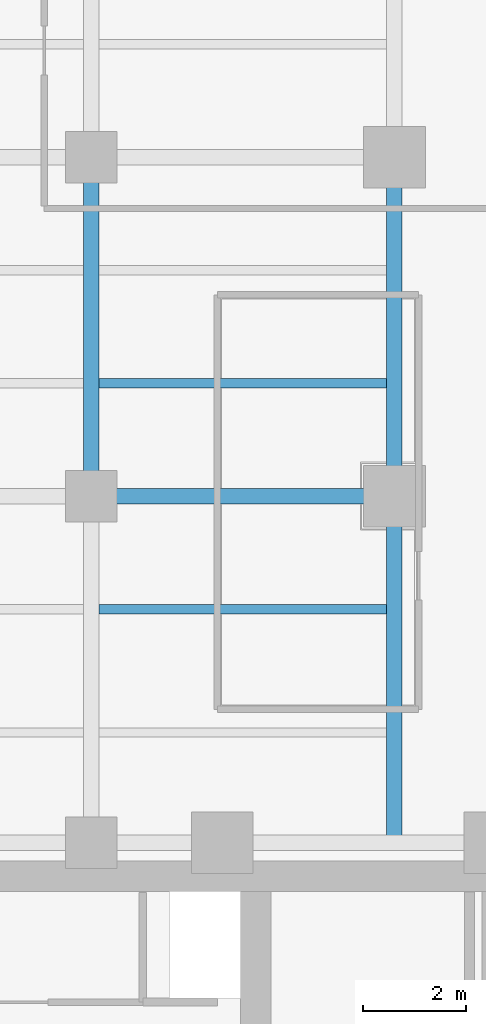
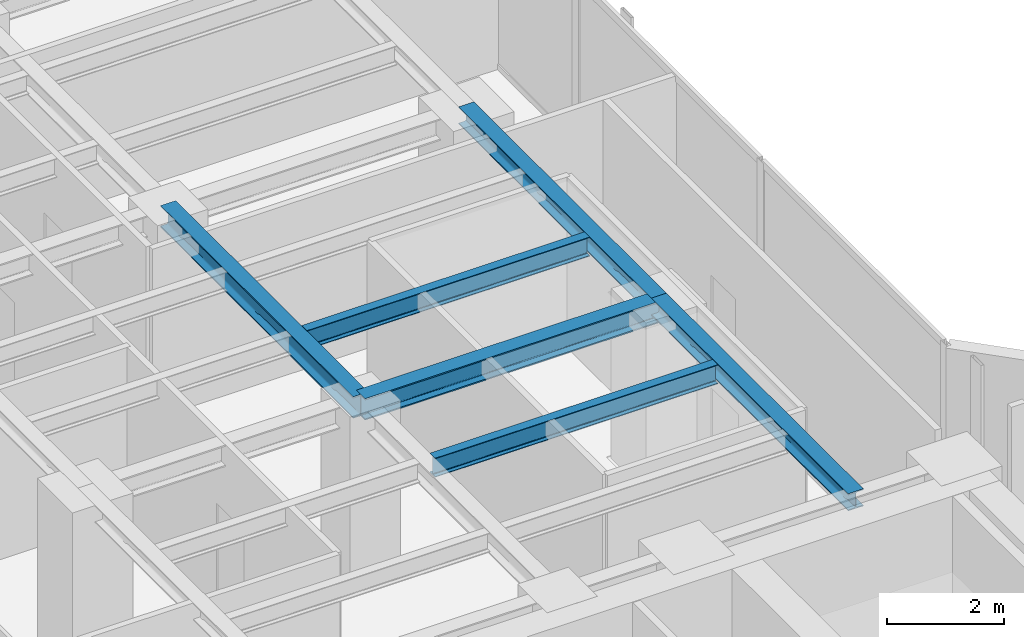
# One storey, part 8 of 24: 6 beams.
"""IFC4 building model written with IfcOpenShell, lengths in metres."""

from ifc_helpers import new_model, si_unit, direction, frame, origin, origin_2d, place, context, subcontext, project, spatial, i_section, extrude, material, material_profile, profile_set, type_object, element, save


model = new_model("IFC4")

# Units and contexts
model_context = context("Model", 3, precision=1e-05, world=origin(), true_north=direction((0.0, 1.0)))
body_context = subcontext(model_context, "Body", "Model", "MODEL_VIEW")
ifc_project = project(units=[si_unit("LENGTHUNIT", "METRE"), si_unit("AREAUNIT", "SQUARE_METRE"), si_unit("VOLUMEUNIT", "CUBIC_METRE"), si_unit("PLANEANGLEUNIT", "RADIAN"), si_unit("MASSUNIT", "GRAM", prefix="KILO")], contexts=[model_context])

# Site, building, storey
site_placement = place(None, origin())
site = spatial("IfcSite", under=ifc_project, at=site_placement, CompositionType="ELEMENT")
building_placement = place(site_placement, origin())
building = spatial("IfcBuilding", under=site, at=building_placement, Name="Kolvaren Waterfront Exchange", CompositionType="ELEMENT")
storey_placement = place(building_placement, frame((0.0, 0.0, 184.199951171875)))
storey = spatial("IfcBuildingStorey", under=building, at=storey_placement, Name="L47", CompositionType="ELEMENT", Elevation=184.199951171875)

# Beams
ifc_material = material(Name="Steel S355", Category="steel")
ifc_material_profile_1 = material_profile(ifc_material, i_section(OverallWidth=0.300048828125, OverallDepth=0.360107421875, WebThickness=0.012451171875, FlangeThickness=0.0224609375, FilletRadius=0.027099609375, at=origin_2d()), Name="HEB360")
ifc_profile_set_1 = profile_set([ifc_material_profile_1], Name="Steel S355")
beam_type_1 = type_object("IfcBeamType", Name="STR-BM-HEB360", PredefinedType="SPANDREL", material=ifc_profile_set_1)
beam_1_placement = place(storey_placement, frame((18.800048828125, 24.449951171875, 3.380126953125), z_axis=(0.0, 1.0, 0.0), x_axis=(-1.0, 0.0, 0.0)))
element("IfcBeam", 1, at=beam_1_placement, inside=storey, type_object=beam_type_1, Name="L47 north-arm edge beam 1", PredefinedType="SPANDREL", context=body_context, shape_type="SweptSolid", body=[
    extrude(i_section(OverallWidth=0.300048828125, OverallDepth=0.360107421875, WebThickness=0.012451171875, FlangeThickness=0.0224609375, FilletRadius=0.027099609375, at=origin_2d()), origin(), (0.0, 0.0, 1.0), 6.75),
])
beam_2_placement = place(storey_placement, frame((18.800048828125, 31.199951171875, 3.380126953125), z_axis=(0.0, 1.0, 0.0), x_axis=(-1.0, 0.0, 0.0)))
element("IfcBeam", 2, at=beam_2_placement, inside=storey, type_object=beam_type_1, Name="L47 north-arm edge beam 2", PredefinedType="SPANDREL", context=body_context, shape_type="SweptSolid", body=[
    extrude(i_section(OverallWidth=0.300048828125, OverallDepth=0.360107421875, WebThickness=0.012451171875, FlangeThickness=0.0224609375, FilletRadius=0.027099609375, at=origin_2d()), origin(), (0.0, 0.0, 1.0), 6.60009765625),
])
ifc_material_profile_2 = material_profile(ifc_material, i_section(OverallWidth=0.300048828125, OverallDepth=0.449951171875, WebThickness=0.013916015625, FlangeThickness=0.02587890625, FilletRadius=0.027099609375, at=origin_2d()), Name="HEB450")
ifc_profile_set_2 = profile_set([ifc_material_profile_2], Name="Steel S355")
beam_type_2 = type_object("IfcBeamType", Name="STR-BM-HEB450", PredefinedType="BEAM", material=ifc_profile_set_2)
beam_3_placement = place(storey_placement, frame((12.89990234375, 31.199951171875, 3.3349609375), z_axis=(1.0, 0.0, 0.0), x_axis=(0.0, 1.0, 0.0)))
element("IfcBeam", 3, at=beam_3_placement, inside=storey, type_object=beam_type_2, Name="L47 north-arm girder 2B", PredefinedType="BEAM", context=body_context, shape_type="SweptSolid", body=[
    extrude(i_section(OverallWidth=0.300048828125, OverallDepth=0.449951171875, WebThickness=0.013916015625, FlangeThickness=0.02587890625, FilletRadius=0.027099609375, at=origin_2d()), origin(), (0.0, 0.0, 1.0), 5.900146484375),
])
beam_4_placement = place(storey_placement, frame((12.89990234375, 31.199951171875, 3.3349609375), z_axis=(0.0, 1.0, 0.0), x_axis=(-1.0, 0.0, 0.0)))
element("IfcBeam", 4, at=beam_4_placement, inside=storey, type_object=beam_type_2, Name="L47 north-arm edge beam 2", PredefinedType="BEAM", context=body_context, shape_type="SweptSolid", body=[
    extrude(i_section(OverallWidth=0.300048828125, OverallDepth=0.449951171875, WebThickness=0.013916015625, FlangeThickness=0.02587890625, FilletRadius=0.027099609375, at=origin_2d()), origin(), (0.0, 0.0, 1.0), 6.60009765625),
])
ifc_material_profile_3 = material_profile(ifc_material, i_section(OverallWidth=0.179931640625, OverallDepth=0.39990234375, WebThickness=0.008544921875, FlangeThickness=0.013427734375, FilletRadius=0.02099609375, at=origin_2d()), Name="IPE400")
ifc_profile_set_3 = profile_set([ifc_material_profile_3], Name="Steel S355")
beam_type_3 = type_object("IfcBeamType", Name="STR-BM-IPE400", PredefinedType="JOIST", material=ifc_profile_set_3)
for number, where, z_axis, x_axis, name in (
    (5, (13.052001953125, 29.0, 3.360107421875), (1.0, 0.0, 0.0), (0.0, 1.0, 0.0), "L47 north-arm composite joist 2B"),
    (6, (13.052001953125, 33.39990234375, 3.360107421875), (1.0, 0.0, 0.0), (0.0, 1.0, 0.0), "L47 north-arm composite joist 3B"),
):
    element("IfcBeam", number, at=place(storey_placement, frame(where, z_axis=z_axis, x_axis=x_axis)), inside=storey, type_object=beam_type_3, Name=name, PredefinedType="JOIST", context=body_context, shape_type="SweptSolid", body=[
        extrude(i_section(OverallWidth=0.179931640625, OverallDepth=0.39990234375, WebThickness=0.008544921875, FlangeThickness=0.013427734375, FilletRadius=0.02099609375, at=origin_2d()), origin(), (0.0, 0.0, 1.0), 5.595947265625),
    ])

save(model, "model.ifc")
